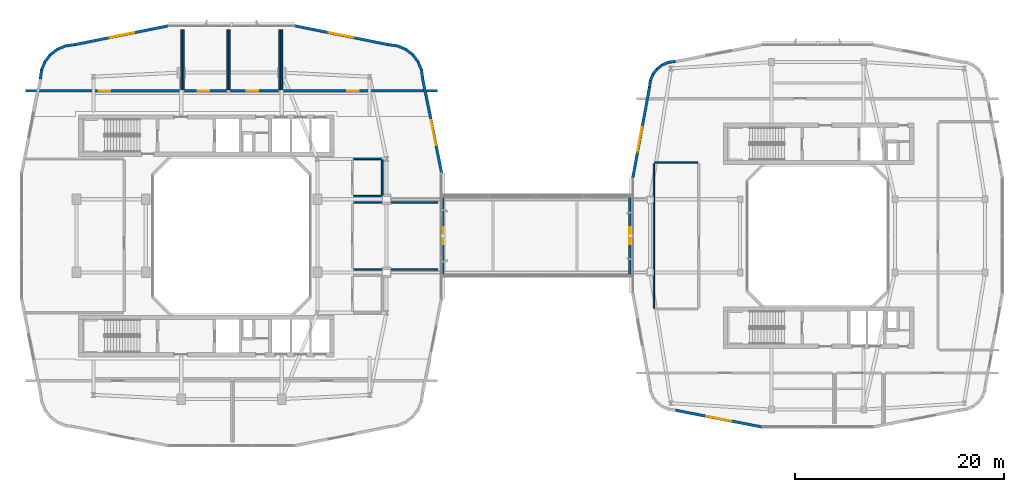
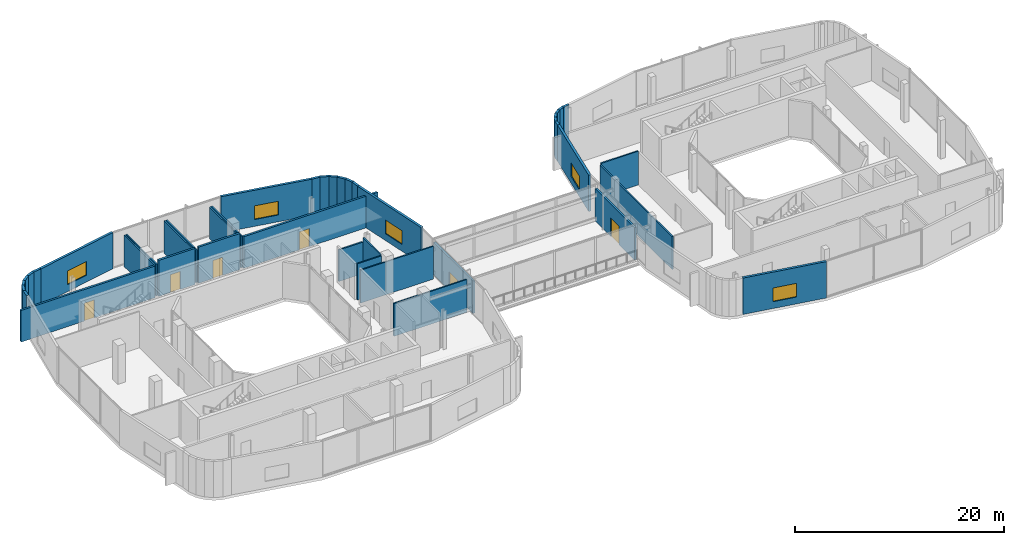
# One storey, part 16 of 24: 42 walls, 6 doors, 5 windows, 11 openings.
"""IFC4 building model written with IfcOpenShell, lengths in metres."""

from ifc_helpers import new_model, si_unit, derived_unit, direction, frame, frame_2d, origin, place, context, subcontext, project, spatial, rectangle, extrude, material, layer, layer_set, type_object, element, fill, save


model = new_model("IFC4")

# Units and contexts
model_context = context("Model", 3, precision=1e-05, world=origin(), true_north=direction((0.0, 1.0)))
body_context = subcontext(model_context, "Body", "Model", "MODEL_VIEW")
ifc_project = project(units=[si_unit("LENGTHUNIT", "METRE"), si_unit("AREAUNIT", "SQUARE_METRE"), si_unit("VOLUMEUNIT", "CUBIC_METRE"), si_unit("PLANEANGLEUNIT", "RADIAN"), si_unit("MASSUNIT", "GRAM", prefix="KILO"), derived_unit("THERMALTRANSMITTANCEUNIT", [(si_unit("POWERUNIT", "WATT"), 1), (si_unit("LENGTHUNIT", "METRE"), -2), (si_unit("THERMODYNAMICTEMPERATUREUNIT", "KELVIN"), -1)])], contexts=[model_context])

# Site, building, storey
site_placement = place(None, origin())
site = spatial("IfcSite", under=ifc_project, at=site_placement, CompositionType="ELEMENT")
building_placement = place(site_placement, origin())
building = spatial("IfcBuilding", under=site, at=building_placement, Name="Kivonza Crest Hotel", CompositionType="ELEMENT")
storey_placement = place(building_placement, frame((0.0, 0.0, 119.5)))
storey = spatial("IfcBuildingStorey", under=building, at=storey_placement, Name="L32", CompositionType="ELEMENT", Elevation=119.5)

# Wall, opening, door
ifc_material_1 = material(Name="Autoclaved aerated concrete blockwork", Category="masonry")
ifc_layer_1 = layer(ifc_material_1, 0.219970703125)
ifc_layer_set_1 = layer_set([ifc_layer_1], Name="Autoclaved aerated concrete blockwork")
wall_type_1 = type_object("IfcWallType", Name="WL-ACOU-220", PredefinedType="SOLIDWALL", material=ifc_layer_set_1)
wall_1_placement = place(storey_placement, frame((1.300048828125, 38.85009765625, 0.0), z_axis=(0.0, 0.0, 1.0), x_axis=(1.0, 0.0, 0.0)))
wall_1 = element("IfcWall", 1, at=wall_1_placement, inside=storey, type_object=wall_type_1, Name="L32 interior partition WA-L32-CLBLNG-S", PredefinedType="SOLIDWALL", context=body_context, shape_type="SweptSolid", body=[
    extrude(rectangle(XDim=14.800048828125, YDim=0.219970703125, at=frame_2d((7.39990234375, 0.0))), origin(), (0.0, 0.0, 1.0), 3.695068359375),
])
opening_1_placement = place(wall_1_placement, frame((7.0048828125, 0.0, 0.0)))
opening_1 = element("IfcOpeningElement", 2, at=opening_1_placement, cuts=wall_1, Name="Opening DF-60M", PredefinedType="OPENING", context=body_context, shape_type="SweptSolid", body=[
    extrude(rectangle(XDim=1.10009765625, YDim=2.10009765625, at=frame_2d((0.550048828125, 1.050048828125))), frame((0.0, 0.1201171875, 0.0), z_axis=(0.0, -1.0, 0.0), x_axis=(1.0, 0.0, 0.0)), (0.0, 0.0, 1.0), 0.239990234375),
])
ifc_material_2 = material(Name="Hardwood timber oak", Category="wood")
door_type_1 = type_object("IfcDoorType", Name="DR-FD60-1100", OperationType="NOTDEFINED", PredefinedType="DOOR", material=ifc_material_2)
door_1_placement = place(opening_1_placement, origin())
door_1 = element("IfcDoor", 3, at=door_1_placement, inside=storey, type_object=door_type_1, Name="L32 Executive Sky Club Lounge door", OperationType="SINGLE_SWING_LEFT", OverallHeight=2.10009765625, OverallWidth=1.10009765625, PredefinedType="DOOR", context=body_context, shape_type="SweptSolid", body=[
    extrude(rectangle(XDim=1.10009765625, YDim=2.10009765625, at=frame_2d((0.550048828125, 1.050048828125))), frame((0.0, 0.02490234375, 0.0), z_axis=(0.0, -1.0, 0.0), x_axis=(1.0, 0.0, 0.0)), (0.0, 0.0, 1.0), 0.050048828125),
])
fill(opening_1, door_1)

wall_2_placement = place(storey_placement, frame((16.5, 38.85009765625, 0.0), z_axis=(0.0, 0.0, 1.0), x_axis=(1.0, 0.0, 0.0)))
wall_2 = element("IfcWall", 4, at=wall_2_placement, inside=storey, type_object=wall_type_1, Name="L32 interior partition WA-L32-SKYAWC-S", PredefinedType="SOLIDWALL", context=body_context, shape_type="SweptSolid", body=[
    extrude(rectangle(XDim=4.0, YDim=0.219970703125, at=frame_2d((2.0, 0.0))), origin(), (0.0, 0.0, 1.0), 4.219970703125),
])
opening_2_placement = place(wall_2_placement, frame((1.294921875, 0.0, 0.0)))
opening_2 = element("IfcOpeningElement", 5, at=opening_2_placement, cuts=wall_2, Name="Opening DF-60M", PredefinedType="OPENING", context=body_context, shape_type="SweptSolid", body=[
    extrude(rectangle(XDim=1.10009765625, YDim=2.10009765625, at=frame_2d((0.550048828125, 1.050048828125))), frame((0.0, 0.1201171875, 0.0), z_axis=(0.0, -1.0, 0.0), x_axis=(1.0, 0.0, 0.0)), (0.0, 0.0, 1.0), 0.239990234375),
])
door_2_placement = place(opening_2_placement, origin())
door_2 = element("IfcDoor", 6, at=door_2_placement, inside=storey, type_object=door_type_1, Name="L32 Sky Lobby Accessible WC door", OperationType="SINGLE_SWING_RIGHT", OverallHeight=2.10009765625, OverallWidth=1.10009765625, PredefinedType="DOOR", context=body_context, shape_type="SweptSolid", body=[
    extrude(rectangle(XDim=1.10009765625, YDim=2.10009765625, at=frame_2d((0.550048828125, 1.050048828125))), frame((0.0, 0.02490234375, 0.0), z_axis=(0.0, -1.0, 0.0), x_axis=(1.0, 0.0, 0.0)), (0.0, 0.0, 1.0), 0.050048828125),
])
fill(opening_2, door_2)

wall_3_placement = place(storey_placement, frame((20.89990234375, 38.85009765625, 0.0), z_axis=(0.0, 0.0, 1.0), x_axis=(1.0, 0.0, 0.0)))
wall_3 = element("IfcWall", 7, at=wall_3_placement, inside=storey, type_object=wall_type_1, Name="L32 interior partition WA-L32-SKYMWC-S", PredefinedType="SOLIDWALL", context=body_context, shape_type="SweptSolid", body=[
    extrude(rectangle(XDim=4.60009765625, YDim=0.219970703125, at=frame_2d((2.300048828125, 0.0))), origin(), (0.0, 0.0, 1.0), 4.219970703125),
])
opening_3_placement = place(wall_3_placement, frame((1.56494140625, 0.0, 0.0)))
opening_3 = element("IfcOpeningElement", 8, at=opening_3_placement, cuts=wall_3, Name="Opening DF-60M", PredefinedType="OPENING", context=body_context, shape_type="SweptSolid", body=[
    extrude(rectangle(XDim=1.10009765625, YDim=2.10009765625, at=frame_2d((0.550048828125, 1.050048828125))), frame((0.0, 0.1201171875, 0.0), z_axis=(0.0, -1.0, 0.0), x_axis=(1.0, 0.0, 0.0)), (0.0, 0.0, 1.0), 0.239990234375),
])
door_3_placement = place(opening_3_placement, origin())
door_3 = element("IfcDoor", 9, at=door_3_placement, inside=storey, type_object=door_type_1, Name="L32 Sky Lobby Public Restroom door", OperationType="SINGLE_SWING_LEFT", OverallHeight=2.10009765625, OverallWidth=1.10009765625, PredefinedType="DOOR", context=body_context, shape_type="SweptSolid", body=[
    extrude(rectangle(XDim=1.10009765625, YDim=2.10009765625, at=frame_2d((0.550048828125, 1.050048828125))), frame((0.0, 0.02490234375, 0.0), z_axis=(0.0, -1.0, 0.0), x_axis=(1.0, 0.0, 0.0)), (0.0, 0.0, 1.0), 0.050048828125),
])
fill(opening_3, door_3)

wall_4_placement = place(storey_placement, frame((25.89990234375, 38.85009765625, 0.0), z_axis=(0.0, 0.0, 1.0), x_axis=(1.0, 0.0, 0.0)))
wall_4 = element("IfcWall", 10, at=wall_4_placement, inside=storey, type_object=wall_type_1, Name="L32 interior partition WA-L32-SKYVIP-S", PredefinedType="SOLIDWALL", context=body_context, shape_type="SweptSolid", body=[
    extrude(rectangle(XDim=14.800048828125, YDim=0.219970703125, at=frame_2d((7.39990234375, 0.0))), origin(), (0.0, 0.0, 1.0), 3.695068359375),
])
opening_4_placement = place(wall_4_placement, frame((6.155029296875, 0.0, 0.0)))
opening_4 = element("IfcOpeningElement", 11, at=opening_4_placement, cuts=wall_4, Name="Opening DF-60M", PredefinedType="OPENING", context=body_context, shape_type="SweptSolid", body=[
    extrude(rectangle(XDim=1.10009765625, YDim=2.10009765625, at=frame_2d((0.550048828125, 1.050048828125))), frame((0.0, 0.1201171875, 0.0), z_axis=(0.0, -1.0, 0.0), x_axis=(1.0, 0.0, 0.0)), (0.0, 0.0, 1.0), 0.239990234375),
])
door_4_placement = place(opening_4_placement, origin())
door_4 = element("IfcDoor", 12, at=door_4_placement, inside=storey, type_object=door_type_1, Name="L32 Sky Horizon VIP Salon door", OperationType="SINGLE_SWING_RIGHT", OverallHeight=2.10009765625, OverallWidth=1.10009765625, PredefinedType="DOOR", context=body_context, shape_type="SweptSolid", body=[
    extrude(rectangle(XDim=1.10009765625, YDim=2.10009765625, at=frame_2d((0.550048828125, 1.050048828125))), frame((0.0, 0.02490234375, 0.0), z_axis=(0.0, -1.0, 0.0), x_axis=(1.0, 0.0, 0.0)), (0.0, 0.0, 1.0), 0.050048828125),
])
fill(opening_4, door_4)

wall_5_placement = place(storey_placement, frame((41.199951171875, 21.25, 0.0), z_axis=(0.0, 0.0, 1.0), x_axis=(0.0, 1.0, 0.0)))
wall_5 = element("IfcWall", 13, at=wall_5_placement, inside=storey, type_object=wall_type_1, Name="L32 interior partition WA-L32-BR1-W", PredefinedType="SOLIDWALL", context=body_context, shape_type="SweptSolid", body=[
    extrude(rectangle(XDim=7.5, YDim=0.219970703125, at=frame_2d((3.75, 0.0))), origin(), (0.0, 0.0, 1.0), 3.794921875),
])
opening_5_placement = place(wall_5_placement, frame((2.949951171875, 0.0, 0.0)))
opening_5 = element("IfcOpeningElement", 14, at=opening_5_placement, cuts=wall_5, Name="Opening DB-60", PredefinedType="OPENING", context=body_context, shape_type="SweptSolid", body=[
    extrude(rectangle(XDim=1.60009765625, YDim=2.14990234375, at=frame_2d((0.800048828125, 1.074951171875))), frame((0.0, 0.1201171875, 0.0), z_axis=(0.0, -1.0, 0.0), x_axis=(1.0, 0.0, 0.0)), (0.0, 0.0, 1.0), 0.239990234375),
])
ifc_material_3 = material(Name="Galvanised steel", Category="steel")
door_type_2 = type_object("IfcDoorType", Name="DR-BRG-1600", OperationType="NOTDEFINED", PredefinedType="DOOR", material=ifc_material_3)
door_5_placement = place(opening_5_placement, frame((1.60009765625, 0.0, 0.0), z_axis=(0.0, 0.0, 1.0), x_axis=(-1.0, 0.0, 0.0)))
door_5 = element("IfcDoor", 15, at=door_5_placement, inside=storey, type_object=door_type_2, Name="L32 Skybridge BR1 West T1 fire door", OperationType="DOUBLE_DOOR_SINGLE_SWING", OverallHeight=2.14990234375, OverallWidth=1.60009765625, PredefinedType="DOOR", context=body_context, shape_type="SweptSolid", body=[
    extrude(rectangle(XDim=1.60009765625, YDim=2.14990234375, at=frame_2d((0.800048828125, 1.074951171875))), frame((0.0, 0.02490234375, 0.0), z_axis=(0.0, -1.0, 0.0), x_axis=(1.0, 0.0, 0.0)), (0.0, 0.0, 1.0), 0.050048828125),
])
fill(opening_5, door_5)

wall_6_placement = place(storey_placement, frame((59.050048828125, 21.25, 0.0), z_axis=(0.0, 0.0, 1.0), x_axis=(0.0, 1.0, 0.0)))
wall_6 = element("IfcWall", 16, at=wall_6_placement, inside=storey, type_object=wall_type_1, Name="L32 interior partition WA-L32-BR1-E", PredefinedType="SOLIDWALL", context=body_context, shape_type="SweptSolid", body=[
    extrude(rectangle(XDim=7.5, YDim=0.219970703125, at=frame_2d((3.75, 0.0))), origin(), (0.0, 0.0, 1.0), 3.794921875),
])
opening_6_placement = place(wall_6_placement, frame((2.949951171875, 0.0, 0.0)))
opening_6 = element("IfcOpeningElement", 17, at=opening_6_placement, cuts=wall_6, Name="Opening DB-60", PredefinedType="OPENING", context=body_context, shape_type="SweptSolid", body=[
    extrude(rectangle(XDim=1.60009765625, YDim=2.14990234375, at=frame_2d((0.800048828125, 1.074951171875))), frame((0.0, 0.1201171875, 0.0), z_axis=(0.0, -1.0, 0.0), x_axis=(1.0, 0.0, 0.0)), (0.0, 0.0, 1.0), 0.239990234375),
])
door_6_placement = place(opening_6_placement, origin())
door_6 = element("IfcDoor", 18, at=door_6_placement, inside=storey, type_object=door_type_2, Name="L32 Skybridge BR1 East T2 fire door", OperationType="DOUBLE_DOOR_SINGLE_SWING", OverallHeight=2.14990234375, OverallWidth=1.60009765625, PredefinedType="DOOR", context=body_context, shape_type="SweptSolid", body=[
    extrude(rectangle(XDim=1.60009765625, YDim=2.14990234375, at=frame_2d((0.800048828125, 1.074951171875))), frame((0.0, 0.02490234375, 0.0), z_axis=(0.0, -1.0, 0.0), x_axis=(1.0, 0.0, 0.0)), (0.0, 0.0, 1.0), 0.050048828125),
])
fill(opening_6, door_6)

# Wall, opening, window
ifc_material_4 = material(Name="Precast concrete C40/50", Category="concrete")
ifc_layer_2 = layer(ifc_material_4, 0.260009765625)
ifc_layer_set_2 = layer_set([ifc_layer_2], Name="Precast concrete C40/50")
wall_type_2 = type_object("IfcWallType", Name="WL-EXT-260", PredefinedType="STANDARD", material=ifc_layer_set_2)
wall_7_placement = place(storey_placement, frame((41.083984375, 30.97998046875, 0.0), z_axis=(0.0, 0.0, 1.0), x_axis=(-0.197435082048, 0.980315963543, 0.0)))
wall_7 = element("IfcWall", 19, at=wall_7_placement, inside=storey, type_object=wall_type_2, Name="L32 T1 exterior insulated wall 18", PredefinedType="STANDARD", context=body_context, shape_type="SweptSolid", body=[
    extrude(rectangle(XDim=9.1826171875, YDim=0.260009765625, at=frame_2d((4.59130859375, 0.0))), origin(), (0.0, 0.0, 1.0), 4.219970703125),
])
opening_7_placement = place(wall_7_placement, frame((2.751953125, 0.0, 0.800048828125)))
opening_7 = element("IfcOpeningElement", 20, at=opening_7_placement, cuts=wall_7, Name="Opening WN-05", PredefinedType="OPENING", context=body_context, shape_type="SweptSolid", body=[
    extrude(rectangle(XDim=2.39990234375, YDim=1.60009765625, at=frame_2d((1.199951171875, 0.800048828125))), frame((0.0, 0.14013671875, 0.0), z_axis=(0.0, -1.0, 0.0), x_axis=(1.0, 0.0, 0.0)), (0.0, 0.0, 1.0), 0.280029296875),
])
ifc_material_5 = material(Name="Thermally broken bronze aluminium and low-E double glazing", Category="aluminium")
window_type = type_object("IfcWindowType", Name="WN-240x160", PartitioningType="TRIPLE_PANEL_VERTICAL", PredefinedType="WINDOW", material=ifc_material_5)
window_1_placement = place(opening_7_placement, origin())
window_1 = element("IfcWindow", 21, at=window_1_placement, inside=storey, type_object=window_type, Name="L32 T1 facade window 18", OverallHeight=1.60009765625, OverallWidth=2.39990234375, PartitioningType="SINGLE_PANEL", PredefinedType="WINDOW", context=body_context, shape_type="SweptSolid", body=[
    extrude(rectangle(XDim=2.39990234375, YDim=1.60009765625, at=frame_2d((1.199951171875, 0.800048828125))), frame((0.0, 0.030029296875, 0.0), z_axis=(0.0, -1.0, 0.0), x_axis=(1.0, 0.0, 0.0)), (0.0, 0.0, 1.0), 0.06005859375),
])
fill(opening_7, window_1)

# Walls
wall_8_placement = place(storey_placement, frame((39.27197265625, 39.97509765625, 0.0), z_axis=(0.0, 0.0, 1.0), x_axis=(-0.130953706898, 0.991388484223, 0.0)))
element("IfcWall", 22, at=wall_8_placement, inside=storey, type_object=wall_type_2, Name="L32 T1 exterior insulated wall 19", PredefinedType="STANDARD", context=body_context, shape_type="SweptSolid", body=[
    extrude(rectangle(XDim=0.885498046875, YDim=0.260009765625, at=frame_2d((0.44287109375, 0.0))), origin(), (0.0, 0.0, 1.0), 4.219970703125),
])
wall_9_placement = place(storey_placement, frame((39.174072265625, 40.806884765625, 0.0), z_axis=(0.0, 0.0, 1.0), x_axis=(-0.383290660547, 0.923627776508, 0.0)))
element("IfcWall", 23, at=wall_9_placement, inside=storey, type_object=wall_type_2, Name="L32 T1 exterior insulated wall 20", PredefinedType="STANDARD", context=body_context, shape_type="SweptSolid", body=[
    extrude(rectangle(XDim=0.9033203125, YDim=0.260009765625, at=frame_2d((0.45166015625, 0.0))), origin(), (0.0, 0.0, 1.0), 4.219970703125),
])
wall_10_placement = place(storey_placement, frame((38.85595703125, 41.60107421875, 0.0), z_axis=(0.0, 0.0, 1.0), x_axis=(-0.608624690463, 0.793458244748, 0.0)))
element("IfcWall", 24, at=wall_10_placement, inside=storey, type_object=wall_type_2, Name="L32 T1 exterior insulated wall 21", PredefinedType="STANDARD", context=body_context, shape_type="SweptSolid", body=[
    extrude(rectangle(XDim=0.902099609375, YDim=0.260009765625, at=frame_2d((0.451171875, 0.0))), origin(), (0.0, 0.0, 1.0), 4.219970703125),
])
wall_11_placement = place(storey_placement, frame((38.344970703125, 42.285888671875, 0.0), z_axis=(0.0, 0.0, 1.0), x_axis=(-0.793558456666, 0.608494022858, 0.0)))
element("IfcWall", 25, at=wall_11_placement, inside=storey, type_object=wall_type_2, Name="L32 T1 exterior insulated wall 22", PredefinedType="STANDARD", context=body_context, shape_type="SweptSolid", body=[
    extrude(rectangle(XDim=0.90234375, YDim=0.260009765625, at=frame_2d((0.451171875, 0.0))), origin(), (0.0, 0.0, 1.0), 4.219970703125),
])
wall_12_placement = place(storey_placement, frame((37.673095703125, 42.81396484375, 0.0), z_axis=(0.0, 0.0, 1.0), x_axis=(-0.923683767999, 0.383155708213, 0.0)))
element("IfcWall", 26, at=wall_12_placement, inside=storey, type_object=wall_type_2, Name="L32 T1 exterior insulated wall 23", PredefinedType="STANDARD", context=body_context, shape_type="SweptSolid", body=[
    extrude(rectangle(XDim=0.90283203125, YDim=0.260009765625, at=frame_2d((0.451416015625, 0.0))), origin(), (0.0, 0.0, 1.0), 4.219970703125),
])
wall_13_placement = place(storey_placement, frame((36.887939453125, 43.152099609375, 0.0), z_axis=(0.0, 0.0, 1.0), x_axis=(-0.991487658083, 0.130200706103, 0.0)))
element("IfcWall", 27, at=wall_13_placement, inside=storey, type_object=wall_type_2, Name="L32 T1 exterior insulated wall 24", PredefinedType="STANDARD", context=body_context, shape_type="SweptSolid", body=[
    extrude(rectangle(XDim=0.920654296875, YDim=0.260009765625, at=frame_2d((0.46044921875, 0.0))), origin(), (0.0, 0.0, 1.0), 4.219970703125),
])

# Wall, opening, window
wall_14_placement = place(storey_placement, frame((35.98193359375, 43.27099609375, 0.0), z_axis=(0.0, 0.0, 1.0), x_axis=(-0.980315963543, 0.197435082048, 0.0)))
wall_14 = element("IfcWall", 28, at=wall_14_placement, inside=storey, type_object=wall_type_2, Name="L32 T1 exterior insulated wall 25", PredefinedType="STANDARD", context=body_context, shape_type="SweptSolid", body=[
    extrude(rectangle(XDim=9.1826171875, YDim=0.260009765625, at=frame_2d((4.59130859375, 0.0))), origin(), (0.0, 0.0, 1.0), 4.219970703125),
])
opening_8_placement = place(wall_14_placement, frame((3.39111328125, 0.0, 0.800048828125)))
opening_8 = element("IfcOpeningElement", 29, at=opening_8_placement, cuts=wall_14, Name="Opening WN-05", PredefinedType="OPENING", context=body_context, shape_type="SweptSolid", body=[
    extrude(rectangle(XDim=2.39990234375, YDim=1.60009765625, at=frame_2d((1.199951171875, 0.800048828125))), frame((0.0, 0.14013671875, 0.0), z_axis=(0.0, -1.0, 0.0), x_axis=(1.0, 0.0, 0.0)), (0.0, 0.0, 1.0), 0.280029296875),
])
window_2_placement = place(opening_8_placement, origin())
window_2 = element("IfcWindow", 30, at=window_2_placement, inside=storey, type_object=window_type, Name="L32 T1 facade window 25", OverallHeight=1.60009765625, OverallWidth=2.39990234375, PartitioningType="SINGLE_PANEL", PredefinedType="WINDOW", context=body_context, shape_type="SweptSolid", body=[
    extrude(rectangle(XDim=2.39990234375, YDim=1.60009765625, at=frame_2d((1.199951171875, 0.800048828125))), frame((0.0, 0.030029296875, 0.0), z_axis=(0.0, -1.0, 0.0), x_axis=(1.0, 0.0, 0.0)), (0.0, 0.0, 1.0), 0.06005859375),
])
fill(opening_8, window_2)

wall_15_placement = place(storey_placement, frame((15.02001953125, 45.083984375, 0.0), z_axis=(0.0, 0.0, 1.0), x_axis=(-0.980315963543, -0.197435082048, 0.0)))
wall_15 = element("IfcWall", 31, at=wall_15_placement, inside=storey, type_object=wall_type_2, Name="L32 T1 exterior insulated wall 27", PredefinedType="STANDARD", context=body_context, shape_type="SweptSolid", body=[
    extrude(rectangle(XDim=9.1826171875, YDim=0.260009765625, at=frame_2d((4.59130859375, 0.0))), origin(), (0.0, 0.0, 1.0), 4.219970703125),
])
opening_9_placement = place(wall_15_placement, frame((3.39111328125, 0.0, 0.800048828125)))
opening_9 = element("IfcOpeningElement", 32, at=opening_9_placement, cuts=wall_15, Name="Opening WN-05", PredefinedType="OPENING", context=body_context, shape_type="SweptSolid", body=[
    extrude(rectangle(XDim=2.39990234375, YDim=1.60009765625, at=frame_2d((1.199951171875, 0.800048828125))), frame((0.0, 0.14013671875, 0.0), z_axis=(0.0, -1.0, 0.0), x_axis=(1.0, 0.0, 0.0)), (0.0, 0.0, 1.0), 0.280029296875),
])
window_3_placement = place(opening_9_placement, origin())
window_3 = element("IfcWindow", 33, at=window_3_placement, inside=storey, type_object=window_type, Name="L32 T1 facade window 27", OverallHeight=1.60009765625, OverallWidth=2.39990234375, PartitioningType="SINGLE_PANEL", PredefinedType="WINDOW", context=body_context, shape_type="SweptSolid", body=[
    extrude(rectangle(XDim=2.39990234375, YDim=1.60009765625, at=frame_2d((1.199951171875, 0.800048828125))), frame((0.0, 0.030029296875, 0.0), z_axis=(0.0, -1.0, 0.0), x_axis=(1.0, 0.0, 0.0)), (0.0, 0.0, 1.0), 0.06005859375),
])
fill(opening_9, window_3)

# Walls
wall_16_placement = place(storey_placement, frame((6.02490234375, 43.27197265625, 0.0), z_axis=(0.0, 0.0, 1.0), x_axis=(-0.991388484223, -0.130953706898, 0.0)))
element("IfcWall", 34, at=wall_16_placement, inside=storey, type_object=wall_type_2, Name="L32 T1 exterior insulated wall 28", PredefinedType="STANDARD", context=body_context, shape_type="SweptSolid", body=[
    extrude(rectangle(XDim=0.885498046875, YDim=0.260009765625, at=frame_2d((0.44287109375, 0.0))), origin(), (0.0, 0.0, 1.0), 4.219970703125),
])
wall_17_placement = place(storey_placement, frame((5.193115234375, 43.174072265625, 0.0), z_axis=(0.0, 0.0, 1.0), x_axis=(-0.923627776508, -0.383290660547, 0.0)))
element("IfcWall", 35, at=wall_17_placement, inside=storey, type_object=wall_type_2, Name="L32 T1 exterior insulated wall 29", PredefinedType="STANDARD", context=body_context, shape_type="SweptSolid", body=[
    extrude(rectangle(XDim=0.9033203125, YDim=0.260009765625, at=frame_2d((0.45166015625, 0.0))), origin(), (0.0, 0.0, 1.0), 4.219970703125),
])
wall_18_placement = place(storey_placement, frame((4.39892578125, 42.85595703125, 0.0), z_axis=(0.0, 0.0, 1.0), x_axis=(-0.793458244748, -0.608624690463, 0.0)))
element("IfcWall", 36, at=wall_18_placement, inside=storey, type_object=wall_type_2, Name="L32 T1 exterior insulated wall 30", PredefinedType="STANDARD", context=body_context, shape_type="SweptSolid", body=[
    extrude(rectangle(XDim=0.902099609375, YDim=0.260009765625, at=frame_2d((0.451171875, 0.0))), origin(), (0.0, 0.0, 1.0), 4.219970703125),
])
wall_19_placement = place(storey_placement, frame((3.714111328125, 42.344970703125, 0.0), z_axis=(0.0, 0.0, 1.0), x_axis=(-0.608494022858, -0.793558456666, 0.0)))
element("IfcWall", 37, at=wall_19_placement, inside=storey, type_object=wall_type_2, Name="L32 T1 exterior insulated wall 31", PredefinedType="STANDARD", context=body_context, shape_type="SweptSolid", body=[
    extrude(rectangle(XDim=0.90234375, YDim=0.260009765625, at=frame_2d((0.451171875, 0.0))), origin(), (0.0, 0.0, 1.0), 4.219970703125),
])
wall_20_placement = place(storey_placement, frame((3.18603515625, 41.673095703125, 0.0), z_axis=(0.0, 0.0, 1.0), x_axis=(-0.383155708213, -0.923683767999, 0.0)))
element("IfcWall", 38, at=wall_20_placement, inside=storey, type_object=wall_type_2, Name="L32 T1 exterior insulated wall 32", PredefinedType="STANDARD", context=body_context, shape_type="SweptSolid", body=[
    extrude(rectangle(XDim=0.90283203125, YDim=0.260009765625, at=frame_2d((0.451416015625, 0.0))), origin(), (0.0, 0.0, 1.0), 4.219970703125),
])
wall_21_placement = place(storey_placement, frame((2.847900390625, 40.887939453125, 0.0), z_axis=(0.0, 0.0, 1.0), x_axis=(-0.130200706103, -0.991487658083, 0.0)))
element("IfcWall", 39, at=wall_21_placement, inside=storey, type_object=wall_type_2, Name="L32 T1 exterior insulated wall 33", PredefinedType="STANDARD", context=body_context, shape_type="SweptSolid", body=[
    extrude(rectangle(XDim=0.920654296875, YDim=0.260009765625, at=frame_2d((0.46044921875, 0.0))), origin(), (0.0, 0.0, 1.0), 4.219970703125),
])

# Wall, opening, window
wall_22_placement = place(storey_placement, frame((63.4169921875, 8.330078125, 0.0), z_axis=(0.0, 0.0, 1.0), x_axis=(0.981750199588, -0.190175039396, 0.0)))
wall_22 = element("IfcWall", 40, at=wall_22_placement, inside=storey, type_object=wall_type_2, Name="L32 T2 exterior insulated wall 7", PredefinedType="STANDARD", context=body_context, shape_type="SweptSolid", body=[
    extrude(rectangle(XDim=8.476806640625, YDim=0.260009765625, at=frame_2d((4.23828125, 0.0))), origin(), (0.0, 0.0, 1.0), 4.25),
])
opening_10_placement = place(wall_22_placement, frame((3.0380859375, 0.0, 0.800048828125)))
opening_10 = element("IfcOpeningElement", 41, at=opening_10_placement, cuts=wall_22, Name="Opening WN-05", PredefinedType="OPENING", context=body_context, shape_type="SweptSolid", body=[
    extrude(rectangle(XDim=2.39990234375, YDim=1.60009765625, at=frame_2d((1.199951171875, 0.800048828125))), frame((0.0, 0.14013671875, 0.0), z_axis=(0.0, -1.0, 0.0), x_axis=(1.0, 0.0, 0.0)), (0.0, 0.0, 1.0), 0.280029296875),
])
window_4_placement = place(opening_10_placement, origin())
window_4 = element("IfcWindow", 42, at=window_4_placement, inside=storey, type_object=window_type, Name="L32 T2 facade window 7", OverallHeight=1.60009765625, OverallWidth=2.39990234375, PartitioningType="SINGLE_PANEL", PredefinedType="WINDOW", context=body_context, shape_type="SweptSolid", body=[
    extrude(rectangle(XDim=2.39990234375, YDim=1.60009765625, at=frame_2d((1.199951171875, 0.800048828125))), frame((0.0, 0.030029296875, 0.0), z_axis=(0.0, -1.0, 0.0), x_axis=(1.0, 0.0, 0.0)), (0.0, 0.0, 1.0), 0.06005859375),
])
fill(opening_10, window_4)

# Walls
wall_23_placement = place(storey_placement, frame((63.425048828125, 41.672119140625, 0.0), z_axis=(0.0, 0.0, 1.0), x_axis=(-0.991300187529, -0.13162043232, 0.0)))
element("IfcWall", 43, at=wall_23_placement, inside=storey, type_object=wall_type_2, Name="L32 T2 exterior insulated wall 28", PredefinedType="STANDARD", context=body_context, shape_type="SweptSolid", body=[
    extrude(rectangle(XDim=0.677001953125, YDim=0.260009765625, at=frame_2d((0.33837890625, 0.0))), origin(), (0.0, 0.0, 1.0), 4.25),
])
for number, where, z_axis, x_axis, name in (
    (44, (62.800048828125, 41.60107421875, 0.0), (0.0, 0.0, 1.0), (-0.924093981904, -0.382165294877, 0.0), "L32 T2 exterior insulated wall 29"),
    (45, (62.198974609375, 41.364013671875, 0.0), (0.0, 0.0, 1.0), (-0.792637067512, -0.609693758543, 0.0), "L32 T2 exterior insulated wall 30"),
    (46, (61.679931640625, 40.97900390625, 0.0), (0.0, 0.0, 1.0), (-0.609472651958, -0.792807092876, 0.0), "L32 T2 exterior insulated wall 31"),
):
    element("IfcWall", number, at=place(storey_placement, frame(where, z_axis=z_axis, x_axis=x_axis)), inside=storey, type_object=wall_type_2, Name=name, PredefinedType="STANDARD", context=body_context, shape_type="SweptSolid", body=[
        extrude(rectangle(XDim=0.69384765625, YDim=0.260009765625, at=frame_2d((0.346923828125, 0.0))), origin(), (0.0, 0.0, 1.0), 4.25),
    ])
wall_24_placement = place(storey_placement, frame((61.278076171875, 40.472900390625, 0.0), z_axis=(0.0, 0.0, 1.0), x_axis=(-0.382289608286, -0.924042561464, 0.0)))
element("IfcWall", 47, at=wall_24_placement, inside=storey, type_object=wall_type_2, Name="L32 T2 exterior insulated wall 32", PredefinedType="STANDARD", context=body_context, shape_type="SweptSolid", body=[
    extrude(rectangle(XDim=0.693603515625, YDim=0.260009765625, at=frame_2d((0.3466796875, 0.0))), origin(), (0.0, 0.0, 1.0), 4.25),
])
wall_25_placement = place(storey_placement, frame((61.02099609375, 39.881103515625, 0.0), z_axis=(0.0, 0.0, 1.0), x_axis=(-0.130614135366, -0.991433279471, 0.0)))
element("IfcWall", 48, at=wall_25_placement, inside=storey, type_object=wall_type_2, Name="L32 T2 exterior insulated wall 33", PredefinedType="STANDARD", context=body_context, shape_type="SweptSolid", body=[
    extrude(rectangle(XDim=0.712158203125, YDim=0.260009765625, at=frame_2d((0.35595703125, 0.0))), origin(), (0.0, 0.0, 1.0), 4.25),
])

# Wall, opening, window
wall_26_placement = place(storey_placement, frame((60.928955078125, 39.18408203125, 0.0), z_axis=(0.0, 0.0, 1.0), x_axis=(-0.181209963057, -0.983444431215, 0.0)))
wall_26 = element("IfcWall", 49, at=wall_26_placement, inside=storey, type_object=wall_type_2, Name="L32 T2 exterior insulated wall 34", PredefinedType="STANDARD", context=body_context, shape_type="SweptSolid", body=[
    extrude(rectangle(XDim=8.889404296875, YDim=0.260009765625, at=frame_2d((4.44482421875, 0.0))), origin(), (0.0, 0.0, 1.0), 4.25),
])
opening_11_placement = place(wall_26_placement, frame((3.85498046875, 0.0, 0.800048828125)))
opening_11 = element("IfcOpeningElement", 50, at=opening_11_placement, cuts=wall_26, Name="Opening WN-05", PredefinedType="OPENING", context=body_context, shape_type="SweptSolid", body=[
    extrude(rectangle(XDim=2.39990234375, YDim=1.60009765625, at=frame_2d((1.199951171875, 0.800048828125))), frame((0.0, 0.14013671875, 0.0), z_axis=(0.0, -1.0, 0.0), x_axis=(1.0, 0.0, 0.0)), (0.0, 0.0, 1.0), 0.280029296875),
])
window_5_placement = place(opening_11_placement, origin())
window_5 = element("IfcWindow", 51, at=window_5_placement, inside=storey, type_object=window_type, Name="L32 T2 facade window 34", OverallHeight=1.60009765625, OverallWidth=2.39990234375, PartitioningType="SINGLE_PANEL", PredefinedType="WINDOW", context=body_context, shape_type="SweptSolid", body=[
    extrude(rectangle(XDim=2.39990234375, YDim=1.60009765625, at=frame_2d((1.199951171875, 0.800048828125))), frame((0.0, 0.030029296875, 0.0), z_axis=(0.0, -1.0, 0.0), x_axis=(1.0, 0.0, 0.0)), (0.0, 0.0, 1.0), 0.06005859375),
])
fill(opening_11, window_5)

# Walls
ifc_material_6 = material(Name="Twin-stud acoustic gypsum board partition", Category="gypsum")
ifc_layer_3 = layer(ifc_material_6, 0.14990234375)
ifc_layer_set_3 = layer_set([ifc_layer_3], Name="Twin-stud acoustic gypsum board partition")
wall_type_3 = type_object("IfcWallType", Name="WL-PART-150", PredefinedType="PARTITIONING", material=ifc_layer_set_3)
for number, where, z_axis, x_axis, name in (
    (52, (32.659912109375, 21.800048828125, 0.0), (0.0, 0.0, 1.0), (1.0, 0.0, 0.0), "L32 interior partition WP-L32-SKYLOB-BS"),
    (53, (32.659912109375, 28.199951171875, 0.0), (0.0, 0.0, 1.0), (1.0, 0.0, 0.0), "L32 interior partition WP-L32-SKYLOB-BN"),
):
    element("IfcWall", number, at=place(storey_placement, frame(where, z_axis=z_axis, x_axis=x_axis)), inside=storey, type_object=wall_type_3, Name=name, PredefinedType="PARTITIONING", context=body_context, shape_type="SweptSolid", body=[
        extrude(rectangle(XDim=8.0400390625, YDim=0.14990234375, at=frame_2d((4.02001953125, 0.0))), origin(), (0.0, 0.0, 1.0), 3.8349609375),
    ])
wall_27_placement = place(storey_placement, frame((35.39990234375, 28.89990234375, 0.0), z_axis=(0.0, 0.0, 1.0), x_axis=(0.0, 1.0, 0.0)))
element("IfcWall", 54, at=wall_27_placement, inside=storey, type_object=wall_type_3, Name="L32 interior partition WP-L32-SKYLOB-N-BE", PredefinedType="PARTITIONING", context=body_context, shape_type="SweptSolid", body=[
    extrude(rectangle(XDim=3.35009765625, YDim=0.14990234375, at=frame_2d((1.675048828125, 0.0))), origin(), (0.0, 0.0, 1.0), 4.219970703125),
])
wall_28_placement = place(storey_placement, frame((32.659912109375, 28.800048828125, 0.0), z_axis=(0.0, 0.0, 1.0), x_axis=(1.0, 0.0, 0.0)))
element("IfcWall", 55, at=wall_28_placement, inside=storey, type_object=wall_type_3, Name="L32 interior partition WP-L32-SKYLOB-N-BS", PredefinedType="PARTITIONING", context=body_context, shape_type="SweptSolid", body=[
    extrude(rectangle(XDim=2.64013671875, YDim=0.14990234375, at=frame_2d((1.320068359375, 0.0))), origin(), (0.0, 0.0, 1.0), 4.219970703125),
])
wall_29_placement = place(storey_placement, frame((32.659912109375, 32.35009765625, 0.0), z_axis=(0.0, 0.0, 1.0), x_axis=(1.0, 0.0, 0.0)))
element("IfcWall", 56, at=wall_29_placement, inside=storey, type_object=wall_type_3, Name="L32 interior partition WP-L32-SKYLOB-N-BN", PredefinedType="PARTITIONING", context=body_context, shape_type="SweptSolid", body=[
    extrude(rectangle(XDim=2.64013671875, YDim=0.14990234375, at=frame_2d((1.320068359375, 0.0))), origin(), (0.0, 0.0, 1.0), 3.695068359375),
])
for number, where, z_axis, x_axis, name in (
    (57, (16.199951171875, 38.949951171875, 0.0), (0.0, 0.0, 1.0), (0.0, 1.0, 0.0), "L32 interior partition WP-L32-CLBLNG-BE"),
    (58, (16.39990234375, 38.949951171875, 0.0), (0.0, 0.0, 1.0), (0.0, 1.0, 0.0), "L32 interior partition WP-L32-SKYAWC-BW"),
):
    element("IfcWall", number, at=place(storey_placement, frame(where, z_axis=z_axis, x_axis=x_axis)), inside=storey, type_object=wall_type_3, Name=name, PredefinedType="PARTITIONING", context=body_context, shape_type="SweptSolid", body=[
        extrude(rectangle(XDim=5.75, YDim=0.14990234375, at=frame_2d((2.875, 0.0))), origin(), (0.0, 0.0, 1.0), 3.695068359375),
    ])
for number, where, z_axis, x_axis, name in (
    (59, (20.60009765625, 38.949951171875, 0.0), (0.0, 0.0, 1.0), (0.0, 1.0, 0.0), "L32 interior partition WP-L32-SKYAWC-BE"),
    (60, (20.800048828125, 38.949951171875, 0.0), (0.0, 0.0, 1.0), (0.0, 1.0, 0.0), "L32 interior partition WP-L32-SKYMWC-BW"),
):
    element("IfcWall", number, at=place(storey_placement, frame(where, z_axis=z_axis, x_axis=x_axis)), inside=storey, type_object=wall_type_3, Name=name, PredefinedType="PARTITIONING", context=body_context, shape_type="SweptSolid", body=[
        extrude(rectangle(XDim=5.75, YDim=0.14990234375, at=frame_2d((2.875, 0.0))), origin(), (0.0, 0.0, 1.0), 3.8349609375),
    ])
for number, where, z_axis, x_axis, name in (
    (61, (25.60009765625, 38.949951171875, 0.0), (0.0, 0.0, 1.0), (0.0, 1.0, 0.0), "L32 interior partition WP-L32-SKYMWC-BE"),
    (62, (25.800048828125, 38.949951171875, 0.0), (0.0, 0.0, 1.0), (0.0, 1.0, 0.0), "L32 interior partition WP-L32-SKYVIP-BW"),
):
    element("IfcWall", number, at=place(storey_placement, frame(where, z_axis=z_axis, x_axis=x_axis)), inside=storey, type_object=wall_type_3, Name=name, PredefinedType="PARTITIONING", context=body_context, shape_type="SweptSolid", body=[
        extrude(rectangle(XDim=5.75, YDim=0.14990234375, at=frame_2d((2.875, 0.0))), origin(), (0.0, 0.0, 1.0), 3.695068359375),
    ])
wall_30_placement = place(storey_placement, frame((61.35009765625, 18.10009765625, 0.0), z_axis=(0.0, 0.0, 1.0), x_axis=(0.0, 1.0, 0.0)))
element("IfcWall", 63, at=wall_30_placement, inside=storey, type_object=wall_type_3, Name="L32 interior partition WP-L32-T2-SKYLNG-BW", PredefinedType="PARTITIONING", context=body_context, shape_type="SweptSolid", body=[
    extrude(rectangle(XDim=13.7998046875, YDim=0.14990234375, at=frame_2d((6.89990234375, 0.0))), origin(), (0.0, 0.0, 1.0), 3.824951171875),
])
wall_31_placement = place(storey_placement, frame((61.449951171875, 32.0, 0.0), z_axis=(0.0, 0.0, 1.0), x_axis=(1.0, 0.0, 0.0)))
element("IfcWall", 64, at=wall_31_placement, inside=storey, type_object=wall_type_3, Name="L32 interior partition WP-L32-T2-SKYLNG-BN", PredefinedType="PARTITIONING", context=body_context, shape_type="SweptSolid", body=[
    extrude(rectangle(XDim=4.10009765625, YDim=0.14990234375, at=frame_2d((2.050048828125, 0.0))), origin(), (0.0, 0.0, 1.0), 3.945068359375),
])

save(model, "model.ifc")
